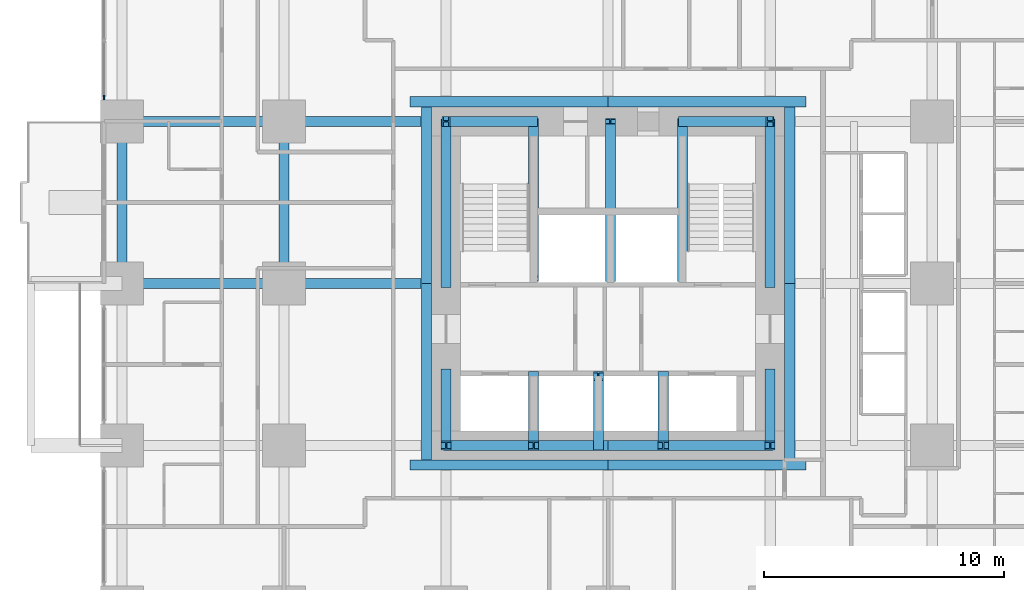
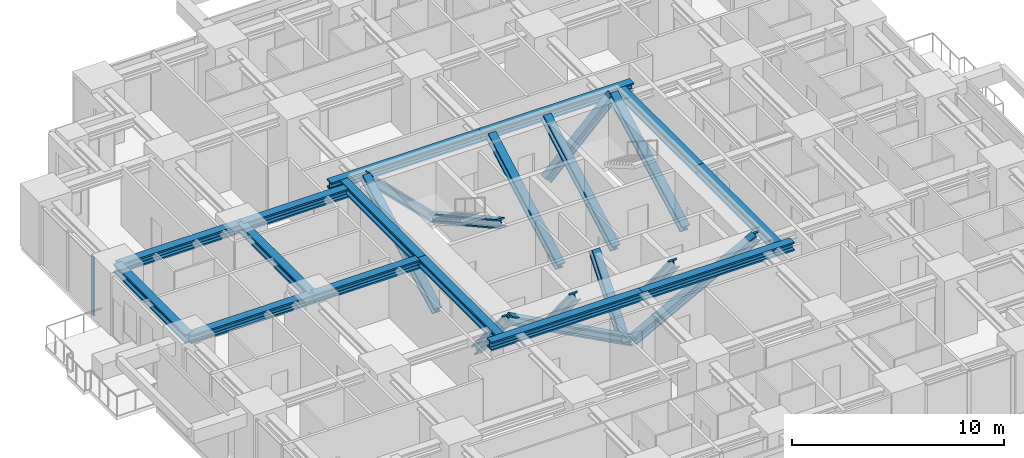
# One storey, part 3 of 14: 15 members, 14 beams, 1 element without a shape of its own.
"""IFC4 building model written with IfcOpenShell, lengths in metres."""

from ifc_helpers import new_model, si_unit, direction, frame, origin, origin_2d, place, context, subcontext, project, spatial, rectangle, i_section, extrude, material, material_profile, profile_set, type_object, element, aggregate, save


model = new_model("IFC4")

# Units and contexts
model_context = context("Model", 3, precision=1e-05, world=origin(), true_north=direction((0.0, 1.0)))
body_context = subcontext(model_context, "Body", "Model", "MODEL_VIEW")
ifc_project = project(units=[si_unit("LENGTHUNIT", "METRE"), si_unit("AREAUNIT", "SQUARE_METRE"), si_unit("VOLUMEUNIT", "CUBIC_METRE"), si_unit("PLANEANGLEUNIT", "RADIAN"), si_unit("MASSUNIT", "GRAM", prefix="KILO")], contexts=[model_context])

# Site, building, storey
site_placement = place(None, origin())
site = spatial("IfcSite", under=ifc_project, at=site_placement, CompositionType="ELEMENT")
building_placement = place(site_placement, origin())
building = spatial("IfcBuilding", under=site, at=building_placement, Name="Nyansa Garden Tower", CompositionType="ELEMENT")
storey_placement = place(building_placement, frame((0.0, 0.0, 57.60009765625)))
storey = spatial("IfcBuildingStorey", under=building, at=storey_placement, Name="L15", CompositionType="ELEMENT", Elevation=57.60009765625)

# Curtain wall, member
ifc_material_1 = material(Name="Black anodised aluminium, dark tinted double glazing", Category="aluminium")
curtain_wall_type = type_object("IfcCurtainWallType", Name="Inner skin curtain wall ISW-A", PredefinedType="USERDEFINED", material=ifc_material_1)
curtain_wall_placement = place(storey_placement, origin())
curtain_wall = element("IfcCurtainWall", 1, at=curtain_wall_placement, inside=storey, type_object=curtain_wall_type, Name="Inner skin curtain wall L15 W", ObjectType="UNITISED CURTAIN WALL", PredefinedType="USERDEFINED")
ifc_material_2 = material(Name="Black anodised aluminium", Category="aluminium")
ifc_material_profile_1 = material_profile(ifc_material_2, rectangle(XDim=0.06494140625, YDim=0.199951171875, at=origin_2d()), Name="Mullion 200x65")
ifc_profile_set_1 = profile_set([ifc_material_profile_1], Name="Black anodised aluminium")
member_type_1 = type_object("IfcMemberType", Name="Mullion ISW-A 200x65", PredefinedType="MULLION", material=ifc_profile_set_1)
member_1_placement = place(storey_placement, frame((-0.75, 28.0, 0.0), z_axis=(0.0, 0.0, 1.0), x_axis=(1.0, 0.0, 0.0)))
member_1 = element("IfcMember", 2, at=member_1_placement, type_object=member_type_1, Name="ISW-A mullion 3", PredefinedType="MULLION", context=body_context, shape_type="SweptSolid", body=[
    extrude(rectangle(XDim=0.06494140625, YDim=0.199951171875, at=origin_2d()), origin(), (0.0, 0.0, 1.0), 3.375),
])
aggregate(curtain_wall, [member_1])

# Members
ifc_material_3 = material(Name="Steel S355", Category="steel")
ifc_material_profile_2 = material_profile(ifc_material_3, i_section(OverallWidth=0.424072265625, OverallDepth=0.47412109375, WebThickness=0.047607421875, FlangeThickness=0.076904296875, FilletRadius=0.014892578125, at=origin_2d()), Name="HD 400x634")
ifc_profile_set_2 = profile_set([ifc_material_profile_2], Name="Steel S355")
member_type_2 = type_object("IfcMemberType", Name="Perimeter brace HD 400x634", PredefinedType="BRACE", material=ifc_profile_set_2)
for number, where, z_axis, x_axis, name in (
    (3, (20.25, 13.5, 0.0), (-0.882360891967, 0.0, 0.470573327259), (0.0, -1.0, 0.0), "Core brace CS1 L15"),
    (4, (20.25, 13.5, 0.0), (0.882360891967, 0.0, 0.470573327259), (0.0, 1.0, 0.0), "Core brace CS2 L15"),
):
    element("IfcMember", number, at=place(storey_placement, frame(where, z_axis=z_axis, x_axis=x_axis)), inside=storey, type_object=member_type_2, Name=name, PredefinedType="BRACE", context=body_context, shape_type="SweptSolid", body=[
        extrude(i_section(OverallWidth=0.424072265625, OverallDepth=0.47412109375, WebThickness=0.047607421875, FlangeThickness=0.076904296875, FilletRadius=0.014892578125, at=origin_2d()), origin(), (0.0, 0.0, 1.0), 7.64990234375),
    ])
for number, where, z_axis, x_axis, name in (
    (5, (17.14990234375, 27.0, 0.0), (-0.711971340796, 0.0, 0.702208523079), (0.0, -1.0, 0.0), "Core brace CN3 L15"),
    (6, (23.35009765625, 27.0, 0.0), (0.711971340796, 0.0, 0.702208523079), (0.0, 1.0, 0.0), "Core brace CN4 L15"),
):
    element("IfcMember", number, at=place(storey_placement, frame(where, z_axis=z_axis, x_axis=x_axis)), inside=storey, type_object=member_type_2, Name=name, PredefinedType="BRACE", context=body_context, shape_type="SweptSolid", body=[
        extrude(i_section(OverallWidth=0.424072265625, OverallDepth=0.47412109375, WebThickness=0.047607421875, FlangeThickness=0.076904296875, FilletRadius=0.014892578125, at=origin_2d()), origin(), (0.0, 0.0, 1.0), 5.12646484375),
    ])
member_2_placement = place(storey_placement, frame((13.5, 16.5, 0.0), z_axis=(0.0, -0.640199773186, 0.768208468069), x_axis=(1.0, 0.0, 0.0)))
element("IfcMember", 7, at=member_2_placement, inside=storey, type_object=member_type_2, Name="Core brace CW5 L15", PredefinedType="BRACE", context=body_context, shape_type="SweptSolid", body=[
    extrude(i_section(OverallWidth=0.424072265625, OverallDepth=0.47412109375, WebThickness=0.047607421875, FlangeThickness=0.076904296875, FilletRadius=0.014892578125, at=origin_2d()), origin(), (0.0, 0.0, 1.0), 4.68603515625),
])
member_3_placement = place(storey_placement, frame((13.5, 20.199951171875, 0.0), z_axis=(0.0, 0.883797178129, 0.467870225524), x_axis=(-1.0, 0.0, 0.0)))
element("IfcMember", 8, at=member_3_placement, inside=storey, type_object=member_type_2, Name="Core brace CW6 L15", PredefinedType="BRACE", context=body_context, shape_type="SweptSolid", body=[
    extrude(i_section(OverallWidth=0.424072265625, OverallDepth=0.47412109375, WebThickness=0.047607421875, FlangeThickness=0.076904296875, FilletRadius=0.014892578125, at=origin_2d()), origin(), (0.0, 0.0, 1.0), 7.694091796875),
])
member_4_placement = place(storey_placement, frame((27.0, 16.5, 0.0), z_axis=(0.0, -0.640199773186, 0.768208468069), x_axis=(1.0, 0.0, 0.0)))
element("IfcMember", 9, at=member_4_placement, inside=storey, type_object=member_type_2, Name="Core brace CE7 L15", PredefinedType="BRACE", context=body_context, shape_type="SweptSolid", body=[
    extrude(i_section(OverallWidth=0.424072265625, OverallDepth=0.47412109375, WebThickness=0.047607421875, FlangeThickness=0.076904296875, FilletRadius=0.014892578125, at=origin_2d()), origin(), (0.0, 0.0, 1.0), 4.68603515625),
])
member_5_placement = place(storey_placement, frame((27.0, 20.199951171875, 0.0), z_axis=(0.0, 0.883797178129, 0.467870225524), x_axis=(-1.0, 0.0, 0.0)))
element("IfcMember", 10, at=member_5_placement, inside=storey, type_object=member_type_2, Name="Core brace CE8 L15", PredefinedType="BRACE", context=body_context, shape_type="SweptSolid", body=[
    extrude(i_section(OverallWidth=0.424072265625, OverallDepth=0.47412109375, WebThickness=0.047607421875, FlangeThickness=0.076904296875, FilletRadius=0.014892578125, at=origin_2d()), origin(), (0.0, 0.0, 1.0), 7.694091796875),
])
for number, where, z_axis, x_axis, name in (
    (11, (17.14990234375, 27.0, 0.0), (0.0, -0.876366901673, 0.481644115143), (1.0, 0.0, 0.0), "Core brace CWS9 L15"),
    (12, (23.35009765625, 20.449951171875, 0.0), (0.0, 0.876366901673, 0.481644115143), (-1.0, 0.0, 0.0), "Core brace CES10 L15"),
):
    element("IfcMember", number, at=place(storey_placement, frame(where, z_axis=z_axis, x_axis=x_axis)), inside=storey, type_object=member_type_2, Name=name, PredefinedType="BRACE", context=body_context, shape_type="SweptSolid", body=[
        extrude(i_section(OverallWidth=0.424072265625, OverallDepth=0.47412109375, WebThickness=0.047607421875, FlangeThickness=0.076904296875, FilletRadius=0.014892578125, at=origin_2d()), origin(), (0.0, 0.0, 1.0), 7.47412109375),
    ])
for number, where, z_axis, x_axis, name in (
    (13, (17.14990234375, 16.39990234375, 0.0), (0.0, -0.627332207022, 0.778751758928), (1.0, 0.0, 0.0), "Core brace CSW11 L15"),
    (14, (19.85009765625, 13.5, 0.0), (0.0, 0.627332207022, 0.778751758928), (-1.0, 0.0, 0.0), "Core brace CSW12 L15"),
    (15, (22.550048828125, 16.39990234375, 0.0), (0.0, -0.627332207022, 0.778751758928), (1.0, 0.0, 0.0), "Core brace CSW13 L15"),
):
    element("IfcMember", number, at=place(storey_placement, frame(where, z_axis=z_axis, x_axis=x_axis)), inside=storey, type_object=member_type_2, Name=name, PredefinedType="BRACE", context=body_context, shape_type="SweptSolid", body=[
        extrude(i_section(OverallWidth=0.424072265625, OverallDepth=0.47412109375, WebThickness=0.047607421875, FlangeThickness=0.076904296875, FilletRadius=0.014892578125, at=origin_2d()), origin(), (0.0, 0.0, 1.0), 4.62255859375),
    ])
member_6_placement = place(storey_placement, frame((20.35009765625, 20.449951171875, 0.0), z_axis=(0.0, 0.876366901673, 0.481644115143), x_axis=(-1.0, 0.0, 0.0)))
element("IfcMember", 16, at=member_6_placement, inside=storey, type_object=member_type_2, Name="Core brace CNW14 L15", PredefinedType="BRACE", context=body_context, shape_type="SweptSolid", body=[
    extrude(i_section(OverallWidth=0.424072265625, OverallDepth=0.47412109375, WebThickness=0.047607421875, FlangeThickness=0.076904296875, FilletRadius=0.014892578125, at=origin_2d()), origin(), (0.0, 0.0, 1.0), 7.47412109375),
])

# Beams
ifc_material_4 = material(Name="Steel S355", Category="steel")
ifc_material_profile_3 = material_profile(ifc_material_4, i_section(OverallWidth=0.431884765625, OverallDepth=0.498046875, WebThickness=0.0556640625, FlangeThickness=0.0888671875, FilletRadius=0.014892578125, at=origin_2d()), Name="HD 400x744")
ifc_profile_set_3 = profile_set([ifc_material_profile_3], Name="Steel S355")
beam_type_1 = type_object("IfcBeamType", Name="Steel beam SBA1-744 HD 400x744", PredefinedType="BEAM", material=ifc_profile_set_3)
for number, where, z_axis, x_axis, name in (
    (17, (0.0, 20.25, 3.1259765625), (1.0, 0.0, 0.0), (0.0, 1.0, 0.0), "Steel beam 2/G-3/G L16"),
    (18, (0.0, 27.0, 3.1259765625), (1.0, 0.0, 0.0), (0.0, 1.0, 0.0), "Steel beam 2/H-3/H L16"),
    (19, (6.75, 20.25, 3.1259765625), (0.0, 1.0, 0.0), (-1.0, 0.0, 0.0), "Steel beam 3/G-3/H L16"),
):
    element("IfcBeam", number, at=place(storey_placement, frame(where, z_axis=z_axis, x_axis=x_axis)), inside=storey, type_object=beam_type_1, Name=name, PredefinedType="BEAM", context=body_context, shape_type="SweptSolid", body=[
        extrude(i_section(OverallWidth=0.431884765625, OverallDepth=0.498046875, WebThickness=0.0556640625, FlangeThickness=0.0888671875, FilletRadius=0.014892578125, at=origin_2d()), origin(), (0.0, 0.0, 1.0), 6.75),
    ])
for number, where, z_axis, x_axis, name in (
    (20, (6.75, 20.25, 3.1259765625), (1.0, 0.0, 0.0), (0.0, 1.0, 0.0), "Steel beam 3/G-12.450/G L16"),
    (21, (6.75, 27.0, 3.1259765625), (1.0, 0.0, 0.0), (0.0, 1.0, 0.0), "Steel beam 3/H-12.450/H L16"),
):
    element("IfcBeam", number, at=place(storey_placement, frame(where, z_axis=z_axis, x_axis=x_axis)), inside=storey, type_object=beam_type_1, Name=name, PredefinedType="BEAM", context=body_context, shape_type="SweptSolid", body=[
        extrude(i_section(OverallWidth=0.431884765625, OverallDepth=0.498046875, WebThickness=0.0556640625, FlangeThickness=0.0888671875, FilletRadius=0.014892578125, at=origin_2d()), origin(), (0.0, 0.0, 1.0), 5.699951171875),
    ])
ifc_material_5 = material(Name="Steel S355", Category="steel")
ifc_material_profile_4 = material_profile(ifc_material_5, i_section(OverallWidth=0.431884765625, OverallDepth=0.498046875, WebThickness=0.0556640625, FlangeThickness=0.0888671875, FilletRadius=0.014892578125, at=origin_2d()), Name="HD 400x744")
ifc_profile_set_4 = profile_set([ifc_material_profile_4], Name="Steel S355")
beam_type_2 = type_object("IfcBeamType", Name="Steel beam SEBA-744 HD 400x744", PredefinedType="BEAM", material=ifc_profile_set_4)
beam_placement = place(storey_placement, frame((0.0, 20.25, 3.1259765625), z_axis=(0.0, 1.0, 0.0), x_axis=(-1.0, 0.0, 0.0)))
element("IfcBeam", 22, at=beam_placement, inside=storey, type_object=beam_type_2, Name="Steel edge beam 2/G-2/H L16", PredefinedType="BEAM", context=body_context, shape_type="SweptSolid", body=[
    extrude(i_section(OverallWidth=0.431884765625, OverallDepth=0.498046875, WebThickness=0.0556640625, FlangeThickness=0.0888671875, FilletRadius=0.014892578125, at=origin_2d()), origin(), (0.0, 0.0, 1.0), 6.75),
])
ifc_material_6 = material(Name="Steel S355", Category="steel")
ifc_material_profile_5 = material_profile(ifc_material_6, i_section(OverallWidth=0.431884765625, OverallDepth=0.498046875, WebThickness=0.0556640625, FlangeThickness=0.0888671875, FilletRadius=0.014892578125, at=origin_2d()), Name="HD 400x744")
ifc_profile_set_5 = profile_set([ifc_material_profile_5], Name="Steel S355")
beam_type_3 = type_object("IfcBeamType", Name="Steel beam SLB1-744 HD 400x744", PredefinedType="BEAM", material=ifc_profile_set_5)
for number, where, z_axis, x_axis, name in (
    (23, (12.0, 12.68408203125, 3.1259765625), (1.0, 0.0, 0.0), (0.0, 1.0, 0.0), "Steel core ledger beam S.1 L16"),
    (24, (20.25, 12.68408203125, 3.1259765625), (1.0, 0.0, 0.0), (0.0, 1.0, 0.0), "Steel core ledger beam S.2 L16"),
):
    element("IfcBeam", number, at=place(storey_placement, frame(where, z_axis=z_axis, x_axis=x_axis)), inside=storey, type_object=beam_type_3, Name=name, PredefinedType="BEAM", context=body_context, shape_type="SweptSolid", body=[
        extrude(i_section(OverallWidth=0.431884765625, OverallDepth=0.498046875, WebThickness=0.0556640625, FlangeThickness=0.0888671875, FilletRadius=0.014892578125, at=origin_2d()), origin(), (0.0, 0.0, 1.0), 8.25),
    ])
for number, where, z_axis, x_axis, name in (
    (25, (27.81591796875, 12.89990234375, 3.1259765625), (0.0, 1.0, 0.0), (-1.0, 0.0, 0.0), "Steel core ledger beam E.1 L16"),
    (26, (27.81591796875, 20.25, 3.1259765625), (0.0, 1.0, 0.0), (-1.0, 0.0, 0.0), "Steel core ledger beam E.2 L16"),
):
    element("IfcBeam", number, at=place(storey_placement, frame(where, z_axis=z_axis, x_axis=x_axis)), inside=storey, type_object=beam_type_3, Name=name, PredefinedType="BEAM", context=body_context, shape_type="SweptSolid", body=[
        extrude(i_section(OverallWidth=0.431884765625, OverallDepth=0.498046875, WebThickness=0.0556640625, FlangeThickness=0.0888671875, FilletRadius=0.014892578125, at=origin_2d()), origin(), (0.0, 0.0, 1.0), 7.35009765625),
    ])
for number, where, z_axis, x_axis, name in (
    (27, (28.5, 27.81591796875, 3.1259765625), (-1.0, 0.0, 0.0), (0.0, -1.0, 0.0), "Steel core ledger beam N.1 L16"),
    (28, (20.25, 27.81591796875, 3.1259765625), (-1.0, 0.0, 0.0), (0.0, -1.0, 0.0), "Steel core ledger beam N.2 L16"),
):
    element("IfcBeam", number, at=place(storey_placement, frame(where, z_axis=z_axis, x_axis=x_axis)), inside=storey, type_object=beam_type_3, Name=name, PredefinedType="BEAM", context=body_context, shape_type="SweptSolid", body=[
        extrude(i_section(OverallWidth=0.431884765625, OverallDepth=0.498046875, WebThickness=0.0556640625, FlangeThickness=0.0888671875, FilletRadius=0.014892578125, at=origin_2d()), origin(), (0.0, 0.0, 1.0), 8.25),
    ])
for number, where, z_axis, x_axis, name in (
    (29, (12.68408203125, 27.60009765625, 3.1259765625), (0.0, -1.0, 0.0), (1.0, 0.0, 0.0), "Steel core ledger beam W.1 L16"),
    (30, (12.68408203125, 20.25, 3.1259765625), (0.0, -1.0, 0.0), (1.0, 0.0, 0.0), "Steel core ledger beam W.2 L16"),
):
    element("IfcBeam", number, at=place(storey_placement, frame(where, z_axis=z_axis, x_axis=x_axis)), inside=storey, type_object=beam_type_3, Name=name, PredefinedType="BEAM", context=body_context, shape_type="SweptSolid", body=[
        extrude(i_section(OverallWidth=0.431884765625, OverallDepth=0.498046875, WebThickness=0.0556640625, FlangeThickness=0.0888671875, FilletRadius=0.014892578125, at=origin_2d()), origin(), (0.0, 0.0, 1.0), 7.35009765625),
    ])

save(model, "model.ifc")
